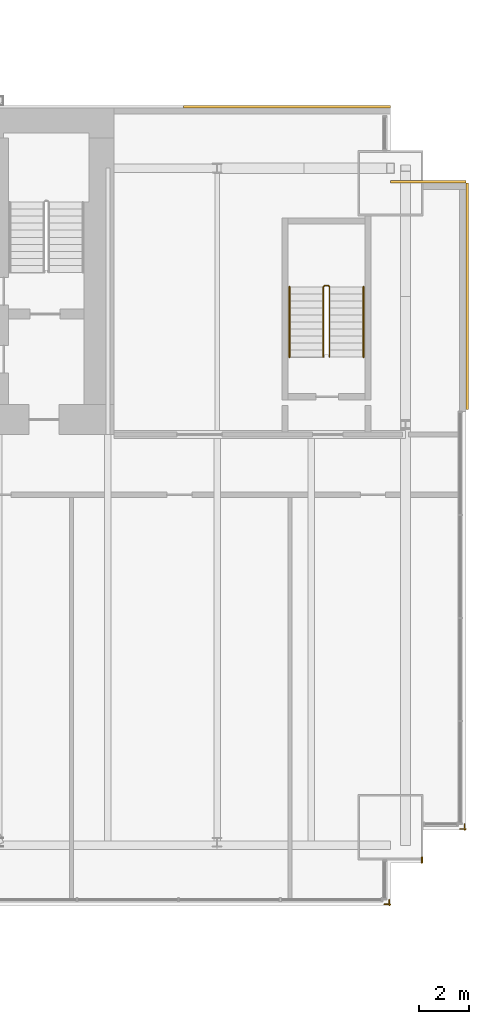
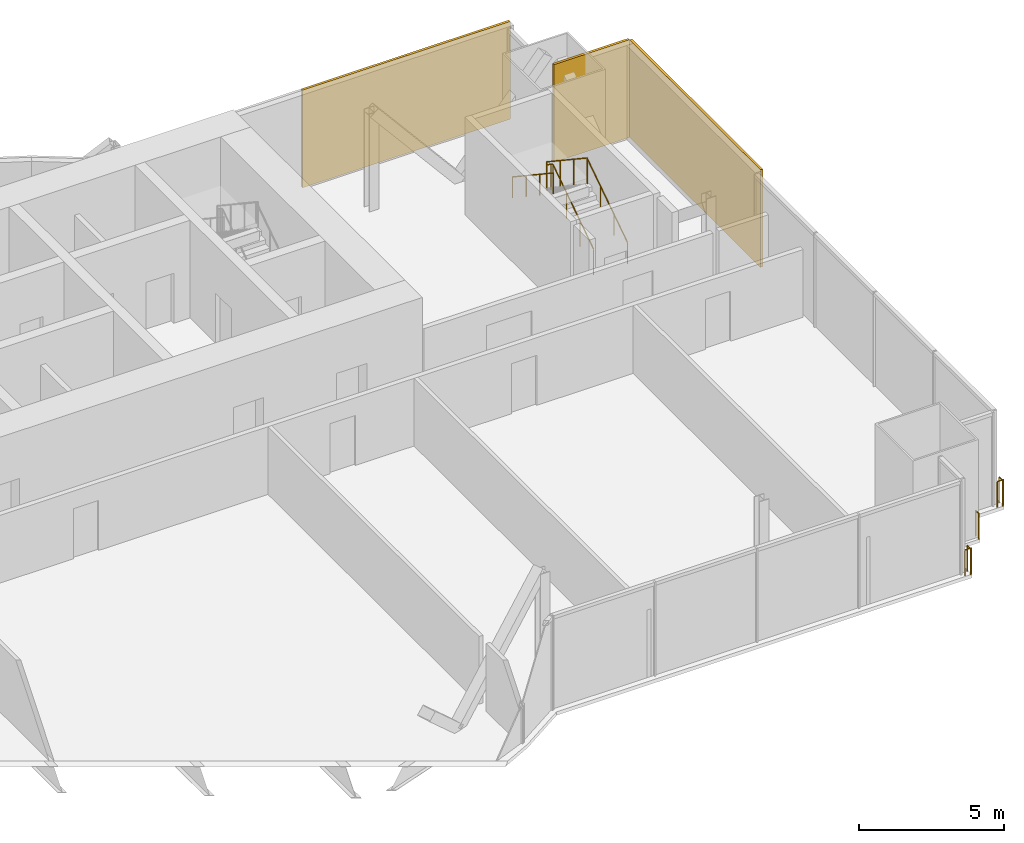
# One storey, part 20 of 20: 6 railings, 3 coverings.
"""IFC4 building model written with IfcOpenShell, lengths in metres."""

import ifcopenshell
import ifcopenshell.guid

model = None  # the IFC model being written
_history = None  # IfcOwnerHistory: only IFC2X3 demands one
_inside = {}  # id of a spatial element -> (the spatial element, [elements in it])
_under = {}  # id of a project, library or spatial element -> (it, [spatial elements below it])
_declared = {}  # id of a project -> (the project, [libraries it declares])
_typed = {}  # id of a type object -> (the type object, [elements of that type])
_made_of = {}  # id of a material, layer set ... -> (it, [elements and type objects made of it])


def new_model(schema):
    """Start an empty IFC model of exactly this schema.

    Asked for "IFC4X3", IfcOpenShell would pick the latest addendum, in which some entities
    have other attributes; the version numbers below select the first issue.
    IFC2X3 requires an IfcOwnerHistory on every rooted entity: one is made here for all.
    """
    global model, _history
    if schema == "IFC4X3":
        model = ifcopenshell.file(schema_version=(4, 3, 0, 0))
    else:
        model = ifcopenshell.file(schema=schema)
    _inside.clear()
    _under.clear()
    _declared.clear()
    _typed.clear()
    _made_of.clear()
    _history = None
    if model.schema == "IFC2X3":
        org = make("IfcOrganization", Name="unknown")
        user = make(
            "IfcPersonAndOrganization",
            ThePerson=make("IfcPerson", FamilyName="unknown"),
            TheOrganization=org,
        )
        app = make(
            "IfcApplication",
            ApplicationDeveloper=org,
            Version="unknown",
            ApplicationFullName="unknown",
            ApplicationIdentifier="unknown",
        )
        _history = make(
            "IfcOwnerHistory",
            OwningUser=user,
            OwningApplication=app,
            ChangeAction="ADDED",
            CreationDate=0,
        )
    return model


def make(cls, **values):
    """One entity of the class cls with the attributes given. An attribute that is None is left unset."""
    return model.create_entity(
        cls, **{name: value for name, value in values.items() if value is not None}
    )


def rooted(cls, **values):
    """An entity with a GlobalId (a new one), such as an element, a storey or a relation."""
    return make(cls, GlobalId=ifcopenshell.guid.new(), OwnerHistory=_history, **values)


def si_unit(unit_type, name, prefix=None):
    """IfcSIUnit, for example si_unit("LENGTHUNIT", "METRE", prefix="MILLI")."""
    return make("IfcSIUnit", UnitType=unit_type, Prefix=prefix, Name=name)


def assignment(units):
    """IfcUnitAssignment: the units of a project."""
    return None if units is None else make("IfcUnitAssignment", Units=units)


def point(xyz):
    """IfcCartesianPoint."""
    return None if xyz is None else make("IfcCartesianPoint", Coordinates=xyz)


def direction(xyz):
    """IfcDirection."""
    return None if xyz is None else make("IfcDirection", DirectionRatios=xyz)


def frame(location, z_axis=None, x_axis=None):
    """IfcAxis2Placement3D, a coordinate frame: its origin and axes. An axis left out is left unset."""
    return make(
        "IfcAxis2Placement3D",
        Location=point(location),
        Axis=direction(z_axis),
        RefDirection=direction(x_axis),
    )


def frame_2d(location, x_axis=None):
    """IfcAxis2Placement2D, a coordinate frame in the plane: its origin and x axis."""
    return make(
        "IfcAxis2Placement2D", Location=point(location), RefDirection=direction(x_axis)
    )


def origin():
    """The frame at (0, 0, 0) with its axes left unset."""
    return frame((0.0, 0.0, 0.0))


def origin_2d():
    """The frame at (0, 0) in the plane with its x axis left unset."""
    return frame_2d((0.0, 0.0))


def place(relative_to, where):
    """IfcLocalPlacement: puts the frame where relative to a parent placement (None: the world)."""
    return make(
        "IfcLocalPlacement", PlacementRelTo=relative_to, RelativePlacement=where
    )


def context(
    kind, dimensions, precision=None, world=None, true_north=None, identifier=None
):
    """IfcGeometricRepresentationContext, for example the 3D "Model" context."""
    return make(
        "IfcGeometricRepresentationContext",
        ContextIdentifier=identifier,
        ContextType=kind,
        CoordinateSpaceDimension=dimensions,
        Precision=precision,
        WorldCoordinateSystem=world,
        TrueNorth=true_north,
    )


def subcontext(parent, identifier, kind, view, scale=None):
    """IfcGeometricRepresentationSubContext, for example "Body" below "Model"."""
    return make(
        "IfcGeometricRepresentationSubContext",
        ContextIdentifier=identifier,
        ContextType=kind,
        ParentContext=parent,
        TargetScale=scale,
        TargetView=view,
    )


def project(units=None, contexts=None):
    """IfcProject with its units and contexts."""
    return rooted(
        "IfcProject",
        Name="project",
        RepresentationContexts=contexts,
        UnitsInContext=assignment(units),
    )


def spatial(cls, under=None, at=None, **own):
    """A site, building, storey or space (cls), placed at a placement, below another one or the project."""
    s = rooted(cls, ObjectPlacement=at, **own)
    if under is not None:
        _under.setdefault(under.id(), (under, []))[1].append(s)
    return s


def profile(cls, at=None, kind="AREA", **sizes):
    """A parametric profile (cls). Its sizes go by their IFC names, for example OverallWidth=200.0."""
    return make(cls, ProfileType=kind, Position=at, **sizes)


def rectangle(**sizes):
    """IfcRectangleProfileDef."""
    return profile("IfcRectangleProfileDef", **sizes)


def circle(**sizes):
    """IfcCircleProfileDef."""
    return profile("IfcCircleProfileDef", **sizes)


def extrude(swept, where, along, depth):
    """IfcExtrudedAreaSolid: the profile swept, set in the frame where, extruded along a direction by depth."""
    return make(
        "IfcExtrudedAreaSolid",
        SweptArea=swept,
        Position=where,
        ExtrudedDirection=direction(along),
        Depth=depth,
    )


def shape(context_of_items, identifier, shape_type, items):
    """IfcShapeRepresentation: the items that make up one representation, for example the "Body"."""
    return make(
        "IfcShapeRepresentation",
        ContextOfItems=context_of_items,
        RepresentationIdentifier=identifier,
        RepresentationType=shape_type,
        Items=items,
    )


def material(Name=None, Category=None):
    """IfcMaterial."""
    return make("IfcMaterial", Name=Name, Category=Category)


def layer(
    of_material, thickness, ventilated=None, Name=None, Category=None, Priority=None
):
    """IfcMaterialLayer: one layer of a wall or slab, of a material (None: an air gap)."""
    return make(
        "IfcMaterialLayer",
        Material=of_material,
        LayerThickness=thickness,
        IsVentilated=ventilated,
        Name=Name,
        Category=Category,
        Priority=Priority,
    )


def layer_set(layers, Name=None):
    """IfcMaterialLayerSet."""
    return make("IfcMaterialLayerSet", MaterialLayers=layers, LayerSetName=Name)


def made_of(thing, what):
    """Note that an element or type object is made of a material, layer set ...; save() writes the relation."""
    if what is not None:
        _made_of.setdefault(what.id(), (what, []))[1].append(thing)
    return thing


def type_object(cls, material=None, **own):
    """A type object (cls), such as IfcWallType, which elements share."""
    return made_of(rooted(cls, **own), material)


def element(
    cls,
    number,
    at=None,
    inside=None,
    cuts=None,
    type_object=None,
    material=None,
    context=None,
    identifier="Body",
    shape_type=None,
    held_by="IfcProductDefinitionShape",
    body=None,
    shapes=None,
    **own,
):
    """One element of the class cls, such as IfcWall. Its Tag is "e" and its number.

    at: its placement. inside: the storey or other place that contains it. cuts: it is an
    opening in that element (IfcRelVoidsElement). A single representation is given by context,
    identifier, shape_type and body (its items); several are given by shapes. held_by: the class
    of the entity that holds the representations. save() writes the other relations.
    """
    e = rooted(cls, Tag="e%d" % number, ObjectPlacement=at, **own)
    if body is not None:
        shapes = [shape(context, identifier, shape_type, body)]
    if shapes is not None:
        e.Representation = make(held_by, Representations=shapes)
    if inside is not None:
        _inside.setdefault(inside.id(), (inside, []))[1].append(e)
    if cuts is not None:
        rooted(
            "IfcRelVoidsElement", RelatingBuildingElement=cuts, RelatedOpeningElement=e
        )
    if type_object is not None:
        _typed.setdefault(type_object.id(), (type_object, []))[1].append(e)
    return made_of(e, material)


def aggregate(whole, parts):
    """IfcRelAggregates: a whole, such as a stair, and the parts it consists of."""
    return rooted("IfcRelAggregates", RelatingObject=whole, RelatedObjects=parts)


def save(model, path):
    """Write the relations noted so far, then the file.

    IfcRelAggregates (storeys below a building ...), IfcRelContainedInSpatialStructure (elements
    in a storey), IfcRelDefinesByType, IfcRelAssociatesMaterial and IfcRelDeclares: one each for
    every whole, place, type object, material and project.
    """
    for whole, parts in _under.values():
        aggregate(whole, parts)
    for where, things in _inside.values():
        rooted(
            "IfcRelContainedInSpatialStructure",
            RelatedElements=things,
            RelatingStructure=where,
        )
    for kind, things in _typed.values():
        rooted("IfcRelDefinesByType", RelatedObjects=things, RelatingType=kind)
    for what, things in _made_of.values():
        rooted("IfcRelAssociatesMaterial", RelatedObjects=things, RelatingMaterial=what)
    for by, libraries in _declared.values():
        rooted("IfcRelDeclares", RelatingContext=by, RelatedDefinitions=libraries)
    model.write(path)


model = new_model("IFC4")

# Units and contexts
model_context = context("Model", 3, precision=1e-05, world=origin(), true_north=direction((0.0, 1.0)))
body_context = subcontext(model_context, "Body", "Model", "MODEL_VIEW")
ifc_project = project(units=[si_unit("LENGTHUNIT", "METRE"), si_unit("AREAUNIT", "SQUARE_METRE"), si_unit("VOLUMEUNIT", "CUBIC_METRE"), si_unit("PLANEANGLEUNIT", "RADIAN"), si_unit("MASSUNIT", "GRAM", prefix="KILO")], contexts=[model_context])

# Site, building, storey
site_placement = place(None, origin())
site = spatial("IfcSite", under=ifc_project, at=site_placement, CompositionType="ELEMENT")
building_placement = place(site_placement, origin())
building = spatial("IfcBuilding", under=site, at=building_placement, Name="Bicima Exchange Tower", CompositionType="ELEMENT")
storey_placement = place(building_placement, frame((0.0, 0.0, 215.5)))
storey = spatial("IfcBuildingStorey", under=building, at=storey_placement, Name="L48", CompositionType="ELEMENT", Elevation=215.5)

# Coverings
ifc_material_1 = material(Name="Bronze metal cladding")
ifc_layer_1 = layer(ifc_material_1, 0.004)
ifc_material_2 = material(Name="Ventilated cavity")
ifc_layer_2 = layer(ifc_material_2, 0.06)
ifc_material_3 = material(Name="Galvanised steel rail and mineral wool", Category="steel")
ifc_layer_3 = layer(ifc_material_3, 0.036)
ifc_layer_set = layer_set([ifc_layer_1, ifc_layer_2, ifc_layer_3], Name="Ventilated cavity")
covering_type = type_object("IfcCoveringType", Name="Bronze metal cladding panel 100", PredefinedType="CLADDING", material=ifc_layer_set)
covering_1_placement = place(storey_placement, frame((28.875, 0.050048828125, -0.150146484375), z_axis=(0.0, 0.0, 1.0), x_axis=(-1.0, 0.0, 0.0)))
element("IfcCovering", 1, at=covering_1_placement, inside=storey, type_object=covering_type, Name="Bronze cladding L48 1.1", PredefinedType="CLADDING", context=body_context, shape_type="SweptSolid", body=[
    extrude(rectangle(XDim=8.25, YDim=0.10009765625, at=origin_2d()), origin(), (0.0, 0.0, 1.0), 4.10009765625),
])
covering_2_placement = place(storey_placement, frame((36.050048828125, -7.5, -0.150146484375), z_axis=(0.0, 0.0, 1.0), x_axis=(0.0, 1.0, 0.0)))
element("IfcCovering", 2, at=covering_2_placement, inside=storey, type_object=covering_type, Name="Bronze cladding L48 50.1", PredefinedType="CLADDING", context=body_context, shape_type="SweptSolid", body=[
    extrude(rectangle(XDim=9.0, YDim=0.10009765625, at=origin_2d()), origin(), (0.0, 0.0, 1.0), 4.10009765625),
])
covering_3_placement = place(storey_placement, frame((34.5, -2.949951171875, -0.150146484375), z_axis=(0.0, 0.0, 1.0), x_axis=(-1.0, 0.0, 0.0)))
element("IfcCovering", 3, at=covering_3_placement, inside=storey, type_object=covering_type, Name="Bronze cladding L48 51.1", PredefinedType="CLADDING", context=body_context, shape_type="SweptSolid", body=[
    extrude(rectangle(XDim=3.0, YDim=0.10009765625, at=origin_2d()), origin(), (0.0, 0.0, 1.0), 4.10009765625),
])

# Railings
ifc_material_4 = material(Name="Stainless steel and bonded safety glass", Category="steel")
railing_type_1 = type_object("IfcRailingType", Name="Edge guard 1100", PredefinedType="GUARDRAIL", material=ifc_material_4)
railing_1_placement = place(storey_placement, frame((35.949951171875, -28.50390625, 0.0)))
element("IfcRailing", 4, at=railing_1_placement, inside=storey, type_object=railing_type_1, Name="Edge guard L48 244", PredefinedType="GUARDRAIL", context=body_context, shape_type="SweptSolid", body=[
    extrude(circle(Radius=0.02392578125, at=origin_2d()), frame((0.0, 0.0, 1.076171875), z_axis=(0.0, -1.0, 0.0), x_axis=(1.0, 0.0, 0.0)), (0.0, 0.0, 1.0), 0.248046875),
    extrude(circle(Radius=0.02392578125, at=origin_2d()), frame((0.0, -0.248046875, 1.076171875), z_axis=(0.707106781187, 0.707106781187, 0.0), x_axis=(-0.707106781187, 0.707106781187, 0.0)), (0.0, 0.0, 1.0), 0.07080078125),
    extrude(circle(Radius=0.02392578125, at=origin_2d()), frame((0.050048828125, -0.197998046875, 1.076171875), z_axis=(-1.0, 0.0, 0.0), x_axis=(0.0, -1.0, 0.0)), (0.0, 0.0, 1.0), 0.242919921875),
    extrude(circle(Radius=0.02099609375, at=origin_2d()), origin(), (0.0, 0.0, 1.0), 1.052001953125),
    extrude(circle(Radius=0.02099609375, at=origin_2d()), frame((0.0, -0.248046875, 0.0)), (0.0, 0.0, 1.0), 1.052001953125),
    extrude(circle(Radius=0.02099609375, at=origin_2d()), frame((0.050048828125, -0.197998046875, 0.0)), (0.0, 0.0, 1.0), 1.052001953125),
    extrude(circle(Radius=0.02099609375, at=origin_2d()), frame((-0.19287109375, -0.197998046875, 0.0)), (0.0, 0.0, 1.0), 1.052001953125),
])
railing_2_placement = place(storey_placement, frame((34.25, -29.8349609375, 0.0)))
element("IfcRailing", 5, at=railing_2_placement, inside=storey, type_object=railing_type_1, Name="Edge guard L48 245", PredefinedType="GUARDRAIL", context=body_context, shape_type="SweptSolid", body=[
    extrude(circle(Radius=0.02392578125, at=origin_2d()), frame((0.0, 0.0, 1.076171875), z_axis=(0.0, -1.0, 0.0), x_axis=(1.0, 0.0, 0.0)), (0.0, 0.0, 1.0), 0.217041015625),
    extrude(circle(Radius=0.02099609375, at=origin_2d()), origin(), (0.0, 0.0, 1.0), 1.052001953125),
    extrude(circle(Radius=0.02099609375, at=origin_2d()), frame((0.0, -0.217041015625, 0.0)), (0.0, 0.0, 1.0), 1.052001953125),
])
railing_3_placement = place(storey_placement, frame((32.949951171875, -31.509033203125, 0.0)))
element("IfcRailing", 6, at=railing_3_placement, inside=storey, type_object=railing_type_1, Name="Edge guard L48 246", PredefinedType="GUARDRAIL", context=body_context, shape_type="SweptSolid", body=[
    extrude(circle(Radius=0.02392578125, at=origin_2d()), frame((0.0, 0.0, 1.076171875), z_axis=(0.0, -1.0, 0.0), x_axis=(1.0, 0.0, 0.0)), (0.0, 0.0, 1.0), 0.242919921875),
    extrude(circle(Radius=0.02392578125, at=origin_2d()), frame((0.0, -0.242919921875, 1.076171875), z_axis=(0.707106781187, 0.707106781187, 0.0), x_axis=(-0.707106781187, 0.707106781187, 0.0)), (0.0, 0.0, 1.0), 0.07080078125),
    extrude(circle(Radius=0.02392578125, at=origin_2d()), frame((0.050048828125, -0.19287109375, 1.076171875), z_axis=(-1.0, 0.0, 0.0), x_axis=(0.0, -1.0, 0.0)), (0.0, 0.0, 1.0), 0.25),
    extrude(circle(Radius=0.02099609375, at=origin_2d()), origin(), (0.0, 0.0, 1.0), 1.052001953125),
    extrude(circle(Radius=0.02099609375, at=origin_2d()), frame((0.0, -0.242919921875, 0.0)), (0.0, 0.0, 1.0), 1.052001953125),
    extrude(circle(Radius=0.02099609375, at=origin_2d()), frame((0.050048828125, -0.19287109375, 0.0)), (0.0, 0.0, 1.0), 1.052001953125),
    extrude(circle(Radius=0.02099609375, at=origin_2d()), frame((-0.199951171875, -0.19287109375, 0.0)), (0.0, 0.0, 1.0), 1.052001953125),
])
ifc_material_5 = material(Name="Stainless steel", Category="steel")
railing_type_2 = type_object("IfcRailingType", Name="Stair guard 1100", PredefinedType="GUARDRAIL", material=ifc_material_5)
railing_4_placement = place(storey_placement, frame((30.574951171875, -9.925048828125, 0.186279296875)))
element("IfcRailing", 7, at=railing_4_placement, inside=storey, type_object=railing_type_2, Name="L48 ST-EE stair guard 1", PredefinedType="GUARDRAIL", context=body_context, shape_type="SweptSolid", body=[
    extrude(circle(Radius=0.02392578125, at=origin_2d()), frame((0.0, 0.0, 1.076171875), z_axis=(0.0, 0.832452072856, 0.554097055034), x_axis=(-1.0, 0.0, 0.0)), (0.0, 0.0, 1.0), 3.363525390625),
    extrude(circle(Radius=0.02392578125, at=origin_2d()), frame((0.0, 2.800048828125, 2.93994140625), z_axis=(-0.707106781187, 0.707106781187, 0.0), x_axis=(-0.707106781187, -0.707106781187, 0.0)), (0.0, 0.0, 1.0), 0.07080078125),
    extrude(circle(Radius=0.02392578125, at=origin_2d()), frame((-0.050048828125, 2.85009765625, 2.93994140625), z_axis=(-1.0, 0.0, 0.0), x_axis=(0.0, -1.0, 0.0)), (0.0, 0.0, 1.0), 0.14990234375),
    extrude(circle(Radius=0.02392578125, at=origin_2d()), frame((-0.199951171875, 2.85009765625, 2.93994140625), z_axis=(-0.251157038772, -0.251157038772, 0.934794246747), x_axis=(0.707106781187, -0.707106781187, 0.0)), (0.0, 0.0, 1.0), 0.19921875),
    extrude(circle(Radius=0.02392578125, at=origin_2d()), frame((-0.25, 2.800048828125, 3.1259765625), z_axis=(0.0, -0.832452072856, 0.554097055034), x_axis=(1.0, 0.0, 0.0)), (0.0, 0.0, 1.0), 3.363525390625),
    extrude(circle(Radius=0.02099609375, at=origin_2d()), origin(), (0.0, 0.0, 1.0), 1.052001953125),
    extrude(circle(Radius=0.02099609375, at=origin_2d()), frame((0.0, 0.933349609375, 0.621337890625)), (0.0, 0.0, 1.0), 1.052001953125),
    extrude(circle(Radius=0.02099609375, at=origin_2d()), frame((0.0, 1.86669921875, 1.242431640625)), (0.0, 0.0, 1.0), 1.052001953125),
    extrude(circle(Radius=0.02099609375, at=origin_2d()), frame((0.0, 2.800048828125, 1.86376953125)), (0.0, 0.0, 1.0), 1.052001953125),
    extrude(circle(Radius=0.02099609375, at=origin_2d()), frame((-0.050048828125, 2.85009765625, 1.86376953125)), (0.0, 0.0, 1.0), 1.052001953125),
    extrude(circle(Radius=0.02099609375, at=origin_2d()), frame((-0.199951171875, 2.85009765625, 1.86376953125)), (0.0, 0.0, 1.0), 1.052001953125),
    extrude(circle(Radius=0.02099609375, at=origin_2d()), frame((-0.25, 2.800048828125, 2.050048828125)), (0.0, 0.0, 1.0), 1.052001953125),
    extrude(circle(Radius=0.02099609375, at=origin_2d()), frame((-0.25, 1.86669921875, 2.67138671875)), (0.0, 0.0, 1.0), 1.052001953125),
    extrude(circle(Radius=0.02099609375, at=origin_2d()), frame((-0.25, 0.933349609375, 3.29248046875)), (0.0, 0.0, 1.0), 1.052001953125),
    extrude(circle(Radius=0.02099609375, at=origin_2d()), frame((-0.25, 0.0, 3.913818359375)), (0.0, 0.0, 1.0), 1.052001953125),
])
railing_type_3 = type_object("IfcRailingType", Name="Stair handrail 900", PredefinedType="HANDRAIL", material=ifc_material_5)
railing_5_placement = place(storey_placement, frame((31.925048828125, -9.925048828125, 0.186279296875)))
element("IfcRailing", 8, at=railing_5_placement, inside=storey, type_object=railing_type_3, Name="L48 ST-EE stair handrail 1", PredefinedType="HANDRAIL", context=body_context, shape_type="SweptSolid", body=[
    extrude(circle(Radius=0.02392578125, at=origin_2d()), frame((0.0, 0.0, 0.8759765625), z_axis=(0.0, 0.832452072856, 0.554097055034), x_axis=(-1.0, 0.0, 0.0)), (0.0, 0.0, 1.0), 3.363525390625),
    extrude(circle(Radius=0.02099609375, at=origin_2d()), origin(), (0.0, 0.0, 1.0), 0.851806640625),
    extrude(circle(Radius=0.02099609375, at=origin_2d()), frame((0.0, 0.933349609375, 0.621337890625)), (0.0, 0.0, 1.0), 0.851806640625),
    extrude(circle(Radius=0.02099609375, at=origin_2d()), frame((0.0, 1.86669921875, 1.242431640625)), (0.0, 0.0, 1.0), 0.851806640625),
    extrude(circle(Radius=0.02099609375, at=origin_2d()), frame((0.0, 2.800048828125, 1.86376953125)), (0.0, 0.0, 1.0), 0.851806640625),
])
railing_6_placement = place(storey_placement, frame((28.97509765625, -7.125, 2.27685546875)))
element("IfcRailing", 9, at=railing_6_placement, inside=storey, type_object=railing_type_3, Name="L48 ST-EE stair handrail 2", PredefinedType="HANDRAIL", context=body_context, shape_type="SweptSolid", body=[
    extrude(circle(Radius=0.02392578125, at=origin_2d()), frame((0.0, 0.0, 0.8759765625), z_axis=(0.0, -0.832485552168, 0.554046753832), x_axis=(1.0, 0.0, 0.0)), (0.0, 0.0, 1.0), 3.363525390625),
    extrude(circle(Radius=0.02099609375, at=origin_2d()), origin(), (0.0, 0.0, 1.0), 0.851806640625),
    extrude(circle(Radius=0.02099609375, at=origin_2d()), frame((0.0, -0.933349609375, 0.62109375)), (0.0, 0.0, 1.0), 0.851806640625),
    extrude(circle(Radius=0.02099609375, at=origin_2d()), frame((0.0, -1.86669921875, 1.242431640625)), (0.0, 0.0, 1.0), 0.851806640625),
    extrude(circle(Radius=0.02099609375, at=origin_2d()), frame((0.0, -2.800048828125, 1.863525390625)), (0.0, 0.0, 1.0), 0.851806640625),
])

save(model, "model.ifc")
